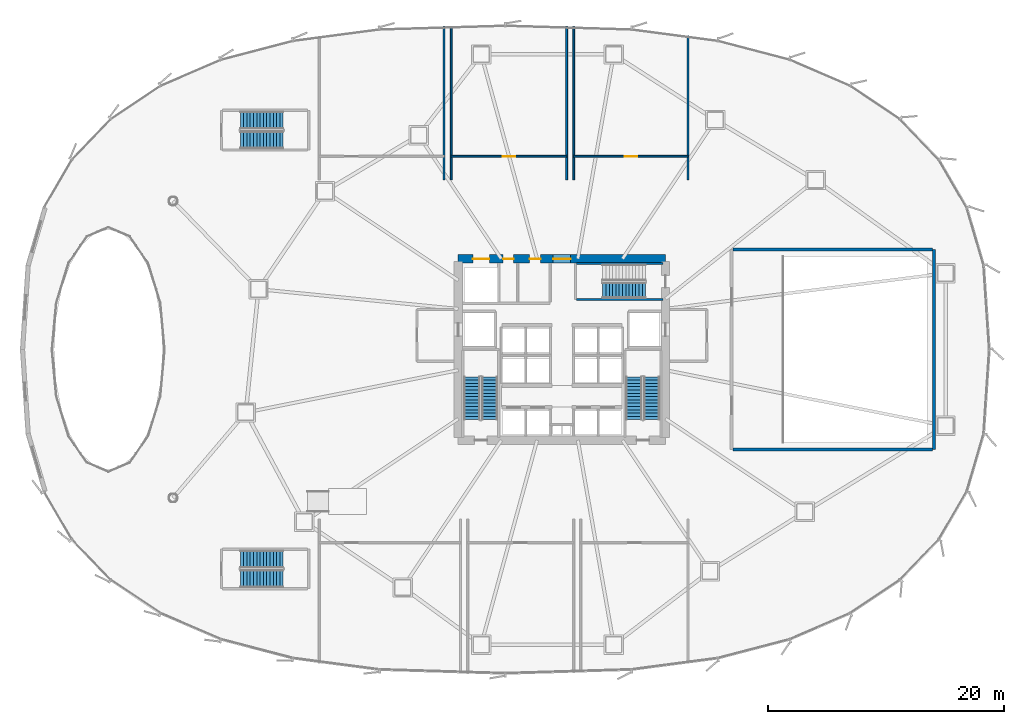
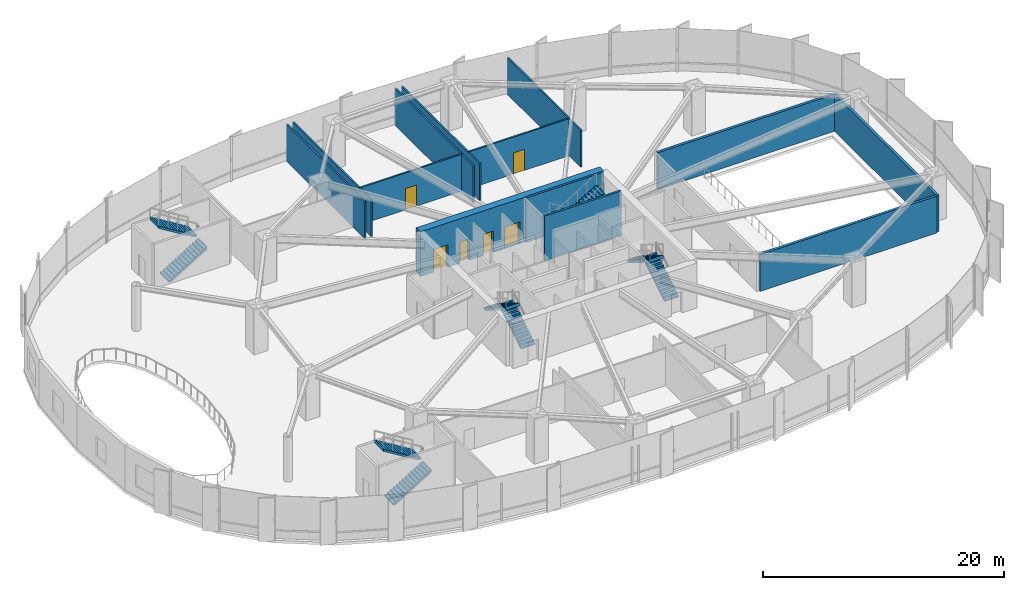
# One storey, part 26 of 34: 13 walls, 9 stair flights, 6 doors, 6 openings, 5 elements without a shape of their own.
"""IFC4 building model written with IfcOpenShell, lengths in metres."""

from ifc_helpers import new_model, si_unit, direction, frame, frame_2d, origin, place, context, subcontext, project, spatial, polyline, rectangle, outline, extrude, source, transform, mapped, material, layer, layer_set, type_object, element, fill, aggregate, save


model = new_model("IFC4")

# Units and contexts
model_context = context("Model", 3, precision=1e-05, world=origin(), true_north=direction((0.0, 1.0)))
body_context = subcontext(model_context, "Body", "Model", "MODEL_VIEW")
ifc_project = project(units=[si_unit("LENGTHUNIT", "METRE"), si_unit("AREAUNIT", "SQUARE_METRE"), si_unit("VOLUMEUNIT", "CUBIC_METRE"), si_unit("PLANEANGLEUNIT", "RADIAN"), si_unit("MASSUNIT", "GRAM", prefix="KILO"), si_unit("THERMODYNAMICTEMPERATUREUNIT", "KELVIN")], contexts=[model_context])

# Site, building, storey
site_placement = place(None, origin())
site = spatial("IfcSite", under=ifc_project, at=site_placement, CompositionType="ELEMENT")
building_placement = place(site_placement, origin())
building = spatial("IfcBuilding", under=site, at=building_placement, Name="Kethvar Cultural Tower", CompositionType="ELEMENT")
storey_placement = place(building_placement, frame((0.0, 0.0, 14.800048828125)))
storey = spatial("IfcBuildingStorey", under=building, at=storey_placement, Name="L03", CompositionType="ELEMENT", Elevation=14.800048828125)

# Wall, openings, doors
ifc_material_1 = material(Name="Concrete C60/75", Category="concrete")
ifc_layer_1 = layer(ifc_material_1, 0.699951171875, Name="Concrete C60/75", Category="concrete")
ifc_layer_set_1 = layer_set([ifc_layer_1], Name="Concrete C60/75 (700 mm)")
wall_type_1 = type_object("IfcWallType", Name="WL-CORE-700", PredefinedType="SHEAR", material=ifc_layer_set_1)
wall_1_placement = place(storey_placement, frame((55.60009765625, 35.5, 0.0), z_axis=(0.0, 0.0, 1.0), x_axis=(-1.0, 0.0, 0.0)))
wall_1 = element("IfcWall", 1, at=wall_1_placement, inside=storey, type_object=wall_type_1, Name="L03 Core Shear Wall N", PredefinedType="SHEAR", context=body_context, shape_type="SweptSolid", body=[
    extrude(rectangle(XDim=17.60009765625, YDim=0.699951171875, at=frame_2d((8.800048828125, 0.0))), origin(), (0.0, 0.0, 1.0), 4.530029296875),
])
opening_1_placement = place(wall_1_placement, frame((8.050048828125, 0.0, 0.0)))
opening_1 = element("IfcOpeningElement", 2, at=opening_1_placement, cuts=wall_1, Name="Opening D-L03-LN", PredefinedType="OPENING", context=body_context, shape_type="SweptSolid", body=[
    extrude(rectangle(XDim=1.5, YDim=2.199951171875, at=frame_2d((0.75, 1.10009765625))), frame((0.0, 0.35986328125, 0.0), z_axis=(0.0, -1.0, 0.0), x_axis=(1.0, 0.0, 0.0)), (0.0, 0.0, 1.0), 0.719970703125),
])
opening_2_placement = place(wall_1_placement, frame((14.949951171875, 0.0, 0.0)))
opening_2 = element("IfcOpeningElement", 3, at=opening_2_placement, cuts=wall_1, Name="Opening LD-G1", PredefinedType="OPENING", context=body_context, shape_type="SweptSolid", body=[
    extrude(rectangle(XDim=1.39990234375, YDim=2.300048828125, at=frame_2d((0.699951171875, 1.14990234375))), frame((0.0, 0.35986328125, 0.0), z_axis=(0.0, -1.0, 0.0), x_axis=(1.0, 0.0, 0.0)), (0.0, 0.0, 1.0), 0.719970703125),
])
opening_3_placement = place(wall_1_placement, frame((12.89990234375, 0.0, 0.0)))
opening_3 = element("IfcOpeningElement", 4, at=opening_3_placement, cuts=wall_1, Name="Opening D-L03-W1", PredefinedType="OPENING", context=body_context, shape_type="SweptSolid", body=[
    extrude(rectangle(XDim=0.89990234375, YDim=2.14990234375, at=frame_2d((0.449951171875, 1.074951171875))), frame((0.0, 0.35986328125, 0.0), z_axis=(0.0, -1.0, 0.0), x_axis=(1.0, 0.0, 0.0)), (0.0, 0.0, 1.0), 0.719970703125),
])
opening_4_placement = place(wall_1_placement, frame((10.60009765625, 0.0, 0.0)))
opening_4 = element("IfcOpeningElement", 5, at=opening_4_placement, cuts=wall_1, Name="Opening D-L03-W2", PredefinedType="OPENING", context=body_context, shape_type="SweptSolid", body=[
    extrude(rectangle(XDim=0.949951171875, YDim=2.14990234375, at=frame_2d((0.47509765625, 1.074951171875))), frame((0.0, 0.35986328125, 0.0), z_axis=(0.0, -1.0, 0.0), x_axis=(1.0, 0.0, 0.0)), (0.0, 0.0, 1.0), 0.719970703125),
])
ifc_material_2 = material(Name="Architectural Oak Timber", Category="wood")
door_type_1 = type_object("IfcDoorType", Name="DR-DBL-FD60-1500", OperationType="DOUBLE_DOOR_SINGLE_SWING", PredefinedType="DOOR", material=ifc_material_2)
shared_shape_1 = source(origin(), body_context, "Body", "SweptSolid", [
    extrude(rectangle(XDim=1.5, YDim=2.199951171875, at=frame_2d((0.75, 1.10009765625))), frame((0.0, 0.02490234375, 0.0), z_axis=(0.0, -1.0, 0.0), x_axis=(1.0, 0.0, 0.0)), (0.0, 0.0, 1.0), 0.050048828125),
])
door_1_placement = place(opening_1_placement, origin())
door_1 = element("IfcDoor", 6, at=door_1_placement, inside=storey, type_object=door_type_1, Name="L03 Lift Lobby Concourse Door", OperationType="DOUBLE_DOOR_SINGLE_SWING", OverallHeight=2.199951171875, OverallWidth=1.5, PredefinedType="DOOR", context=body_context, shape_type="MappedRepresentation", body=[
    mapped(shared_shape_1, transform((0.0, 0.0, 0.0), scale=1.0)),
])
fill(opening_1, door_1)
ifc_material_3 = material(Name="Steel S355J2", Category="steel")
door_type_2 = type_object("IfcDoorType", Name="DR-LIFT-SLIDE-1400", OperationType="NOTDEFINED", PredefinedType="DOOR", material=ifc_material_3)
shared_shape_2 = source(origin(), body_context, "Body", "SweptSolid", [
    extrude(rectangle(XDim=1.39990234375, YDim=2.300048828125, at=frame_2d((0.699951171875, 1.14990234375))), frame((0.0, 0.02490234375, 0.0), z_axis=(0.0, -1.0, 0.0), x_axis=(1.0, 0.0, 0.0)), (0.0, 0.0, 1.0), 0.050048828125),
])
door_2_placement = place(opening_2_placement, origin())
door_2 = element("IfcDoor", 7, at=door_2_placement, inside=storey, type_object=door_type_2, Name="L03 Goods Lift Landing Door", OperationType="SLIDING_TO_RIGHT", OverallHeight=2.300048828125, OverallWidth=1.39990234375, PredefinedType="DOOR", context=body_context, shape_type="MappedRepresentation", body=[
    mapped(shared_shape_2, transform((0.0, 0.0, 0.0), scale=1.0)),
])
fill(opening_2, door_2)
door_type_3 = type_object("IfcDoorType", Name="DR-FD30-950", OperationType="NOTDEFINED", PredefinedType="DOOR", material=ifc_material_2)
shared_shape_3 = source(origin(), body_context, "Body", "SweptSolid", [
    extrude(rectangle(XDim=0.949951171875, YDim=2.14990234375, at=frame_2d((0.47509765625, 1.074951171875))), frame((0.0, 0.02490234375, 0.0), z_axis=(0.0, -1.0, 0.0), x_axis=(1.0, 0.0, 0.0)), (0.0, 0.0, 1.0), 0.050048828125),
])
door_3_placement = place(opening_4_placement, origin())
door_3 = element("IfcDoor", 8, at=door_3_placement, inside=storey, type_object=door_type_3, Name="L03 Public Washroom Door", OperationType="SINGLE_SWING_RIGHT", OverallHeight=2.14990234375, OverallWidth=0.949951171875, PredefinedType="DOOR", context=body_context, shape_type="MappedRepresentation", body=[
    mapped(shared_shape_3, transform((0.0, 0.0, 0.0), scale=1.0)),
])
fill(opening_4, door_3)
door_type_4 = type_object("IfcDoorType", Name="DR-FD30-900", OperationType="NOTDEFINED", PredefinedType="DOOR", material=ifc_material_2)
shared_shape_4 = source(origin(), body_context, "Body", "SweptSolid", [
    extrude(rectangle(XDim=0.89990234375, YDim=2.14990234375, at=frame_2d((0.449951171875, 1.074951171875))), frame((0.0, 0.02490234375, 0.0), z_axis=(0.0, -1.0, 0.0), x_axis=(1.0, 0.0, 0.0)), (0.0, 0.0, 1.0), 0.050048828125),
])
door_4_placement = place(opening_3_placement, origin())
door_4 = element("IfcDoor", 9, at=door_4_placement, inside=storey, type_object=door_type_4, Name="L03 Accessible Washroom Door", OperationType="SINGLE_SWING_LEFT", OverallHeight=2.14990234375, OverallWidth=0.89990234375, PredefinedType="DOOR", context=body_context, shape_type="MappedRepresentation", body=[
    mapped(shared_shape_4, transform((0.0, 0.0, 0.0), scale=1.0)),
])
fill(opening_3, door_4)

# Wall, opening, door
ifc_material_4 = material(Name="Gypsum Fireboard Partition")
ifc_layer_2 = layer(ifc_material_4, 0.14990234375, Name="Gypsum Fireboard Partition")
ifc_layer_set_2 = layer_set([ifc_layer_2], Name="Gypsum Fireboard Partition (150 mm)")
wall_type_2 = type_object("IfcWallType", Name="WL-FIRE-150", PredefinedType="PARTITIONING", material=ifc_layer_set_2)
wall_2_placement = place(storey_placement, frame((37.39990234375, 44.199951171875, 0.0), z_axis=(0.0, 0.0, 1.0), x_axis=(1.0, 0.0, 0.0)))
wall_2 = element("IfcWall", 10, at=wall_2_placement, inside=storey, type_object=wall_type_2, Name="L03 Audio Visual Control Studio Wall", PredefinedType="PARTITIONING", context=body_context, shape_type="SweptSolid", body=[
    extrude(rectangle(XDim=9.800048828125, YDim=0.14990234375, at=frame_2d((4.89990234375, 0.0))), origin(), (0.0, 0.0, 1.0), 3.742919921875),
])
opening_5_placement = place(wall_2_placement, frame((4.375, 0.0, 0.0)))
opening_5 = element("IfcOpeningElement", 11, at=opening_5_placement, cuts=wall_2, Name="Opening D-L03-P5", PredefinedType="OPENING", context=body_context, shape_type="SweptSolid", body=[
    extrude(rectangle(XDim=1.050048828125, YDim=2.14990234375, at=frame_2d((0.52490234375, 1.074951171875))), frame((0.0, 0.0849609375, 0.0), z_axis=(0.0, -1.0, 0.0), x_axis=(1.0, 0.0, 0.0)), (0.0, 0.0, 1.0), 0.169921875),
])
door_type_5 = type_object("IfcDoorType", Name="DR-FD60-1050", OperationType="NOTDEFINED", PredefinedType="DOOR", material=ifc_material_3)
shared_shape_5 = source(origin(), body_context, "Body", "SweptSolid", [
    extrude(rectangle(XDim=1.050048828125, YDim=2.14990234375, at=frame_2d((0.52490234375, 1.074951171875))), frame((0.0, 0.02490234375, 0.0), z_axis=(0.0, -1.0, 0.0), x_axis=(1.0, 0.0, 0.0)), (0.0, 0.0, 1.0), 0.050048828125),
])
door_5_placement = place(opening_5_placement, origin())
door_5 = element("IfcDoor", 12, at=door_5_placement, inside=storey, type_object=door_type_5, Name="L03 Audio Visual Control Studio Door", OperationType="SINGLE_SWING_LEFT", OverallHeight=2.14990234375, OverallWidth=1.050048828125, PredefinedType="DOOR", context=body_context, shape_type="MappedRepresentation", body=[
    mapped(shared_shape_5, transform((0.0, 0.0, 0.0), scale=1.0)),
])
fill(opening_5, door_5)

wall_3_placement = place(storey_placement, frame((47.800048828125, 44.199951171875, 0.0), z_axis=(0.0, 0.0, 1.0), x_axis=(1.0, 0.0, 0.0)))
wall_3 = element("IfcWall", 13, at=wall_3_placement, inside=storey, type_object=wall_type_2, Name="L03 Instrument Archive Vault Wall", PredefinedType="PARTITIONING", context=body_context, shape_type="SweptSolid", body=[
    extrude(rectangle(XDim=9.699951171875, YDim=0.14990234375, at=frame_2d((4.85009765625, 0.0))), origin(), (0.0, 0.0, 1.0), 3.742919921875),
])
opening_6_placement = place(wall_3_placement, frame((4.324951171875, 0.0, 0.0)))
opening_6 = element("IfcOpeningElement", 14, at=opening_6_placement, cuts=wall_3, Name="Opening D-L03-P6", PredefinedType="OPENING", context=body_context, shape_type="SweptSolid", body=[
    extrude(rectangle(XDim=1.050048828125, YDim=2.14990234375, at=frame_2d((0.52490234375, 1.074951171875))), frame((0.0, 0.0849609375, 0.0), z_axis=(0.0, -1.0, 0.0), x_axis=(1.0, 0.0, 0.0)), (0.0, 0.0, 1.0), 0.169921875),
])
door_6_placement = place(opening_6_placement, origin())
door_6 = element("IfcDoor", 15, at=door_6_placement, inside=storey, type_object=door_type_5, Name="L03 Instrument Archive Vault Door", OperationType="SINGLE_SWING_LEFT", OverallHeight=2.14990234375, OverallWidth=1.050048828125, PredefinedType="DOOR", context=body_context, shape_type="MappedRepresentation", body=[
    mapped(shared_shape_5, transform((0.0, 0.0, 0.0), scale=1.0)),
])
fill(opening_6, door_6)

# Walls
ifc_material_5 = material(Name="Gypsum Acoustic Partition")
ifc_layer_3 = layer(ifc_material_5, 0.14990234375, Name="Gypsum Acoustic Partition")
ifc_layer_set_3 = layer_set([ifc_layer_3], Name="Gypsum Acoustic Partition (150 mm)")
wall_type_3 = type_object("IfcWallType", Name="WL-PART-150", PredefinedType="PARTITIONING", material=ifc_layer_set_3)
wall_4_placement = place(storey_placement, frame((36.800048828125, 42.199951171875, 0.0), z_axis=(0.0, 0.0, 1.0), x_axis=(0.0, 1.0, 0.0)))
element("IfcWall", 16, at=wall_4_placement, inside=storey, type_object=wall_type_3, Name="L03 Upper Atrium Tea Pantry Side Wall R", PredefinedType="PARTITIONING", context=body_context, shape_type="SweptSolid", body=[
    extrude(rectangle(XDim=13.043212890625, YDim=0.14990234375, at=frame_2d((6.521484375, 0.0))), origin(), (0.0, 0.0, 1.0), 3.742919921875),
])
wall_5_placement = place(storey_placement, frame((37.39990234375, 42.199951171875, 0.0), z_axis=(0.0, 0.0, 1.0), x_axis=(0.0, 1.0, 0.0)))
element("IfcWall", 17, at=wall_5_placement, inside=storey, type_object=wall_type_3, Name="L03 Audio Visual Control Studio Side Wall L", PredefinedType="PARTITIONING", context=body_context, shape_type="SweptSolid", body=[
    extrude(rectangle(XDim=13.061279296875, YDim=0.14990234375, at=frame_2d((6.53076171875, 0.0))), origin(), (0.0, 0.0, 1.0), 3.742919921875),
])
wall_6_placement = place(storey_placement, frame((47.199951171875, 42.199951171875, 0.0), z_axis=(0.0, 0.0, 1.0), x_axis=(0.0, 1.0, 0.0)))
element("IfcWall", 18, at=wall_6_placement, inside=storey, type_object=wall_type_3, Name="L03 Audio Visual Control Studio Side Wall R", PredefinedType="PARTITIONING", context=body_context, shape_type="SweptSolid", body=[
    extrude(rectangle(XDim=13.043212890625, YDim=0.14990234375, at=frame_2d((6.521484375, 0.0))), origin(), (0.0, 0.0, 1.0), 3.742919921875),
])
wall_7_placement = place(storey_placement, frame((47.800048828125, 42.199951171875, 0.0), z_axis=(0.0, 0.0, 1.0), x_axis=(0.0, 1.0, 0.0)))
element("IfcWall", 19, at=wall_7_placement, inside=storey, type_object=wall_type_3, Name="L03 Instrument Archive Vault Side Wall L", PredefinedType="PARTITIONING", context=body_context, shape_type="SweptSolid", body=[
    extrude(rectangle(XDim=13.025146484375, YDim=0.14990234375, at=frame_2d((6.5126953125, 0.0))), origin(), (0.0, 0.0, 1.0), 3.742919921875),
])
wall_8_placement = place(storey_placement, frame((57.5, 42.199951171875, 0.0), z_axis=(0.0, 0.0, 1.0), x_axis=(0.0, 1.0, 0.0)))
element("IfcWall", 20, at=wall_8_placement, inside=storey, type_object=wall_type_3, Name="L03 Instrument Archive Vault Side Wall R", PredefinedType="PARTITIONING", context=body_context, shape_type="SweptSolid", body=[
    extrude(rectangle(XDim=12.24658203125, YDim=0.14990234375, at=frame_2d((6.123291015625, 0.0))), origin(), (0.0, 0.0, 1.0), 3.742919921875),
])
ifc_material_6 = material(Name="Concrete C40/50", Category="concrete")
ifc_layer_4 = layer(ifc_material_6, 0.25, Name="Concrete C40/50", Category="concrete")
ifc_layer_set_4 = layer_set([ifc_layer_4], Name="Concrete C40/50 (250 mm)")
wall_type_4 = type_object("IfcWallType", Name="WL-SOLID-250", PredefinedType="SOLIDWALL", material=ifc_layer_set_4)
wall_9_placement = place(storey_placement, frame((78.39990234375, 19.300048828125, 0.0), z_axis=(0.0, 0.0, 1.0), x_axis=(0.0, 1.0, 0.0)))
element("IfcWall", 21, at=wall_9_placement, inside=storey, type_object=wall_type_4, Name="L03 Auditorium East Wall", PredefinedType="SOLIDWALL", context=body_context, shape_type="SweptSolid", body=[
    extrude(rectangle(XDim=17.0, YDim=0.25, at=frame_2d((8.5, 0.0))), origin(), (0.0, 0.0, 1.0), 3.742919921875),
])
for number, where, z_axis, x_axis, name in (
    (22, (61.340087890625, 19.300048828125, 0.0), (0.0, 0.0, 1.0), (1.0, 0.0, 0.0), "L03 Auditorium South Wall"),
    (23, (61.340087890625, 36.300048828125, 0.0), (0.0, 0.0, 1.0), (1.0, 0.0, 0.0), "L03 Auditorium North Wall"),
):
    element("IfcWall", number, at=place(storey_placement, frame(where, z_axis=z_axis, x_axis=x_axis)), inside=storey, type_object=wall_type_4, Name=name, PredefinedType="SOLIDWALL", context=body_context, shape_type="SweptSolid", body=[
        extrude(rectangle(XDim=16.919921875, YDim=0.25, at=frame_2d((8.4599609375, 0.0))), origin(), (0.0, 0.0, 1.0), 3.742919921875),
    ])
ifc_material_7 = material(Name="Concrete C50/60", Category="concrete")
ifc_layer_5 = layer(ifc_material_7, 0.199951171875, Name="Concrete C50/60", Category="concrete")
ifc_layer_set_5 = layer_set([ifc_layer_5], Name="Concrete C50/60 (200 mm)")
wall_type_5 = type_object("IfcWallType", Name="WL-STSHAFT-200", PredefinedType="SHEAR", material=ifc_layer_set_5)
for number, where, z_axis, x_axis, name in (
    (24, (48.050048828125, 35.110107421875, 0.0), (0.0, 0.0, 1.0), (1.0, 0.0, 0.0), "L03 ST-03 Stair Shaft Wall LEFT"),
    (25, (55.39990234375, 32.050048828125, 0.0), (0.0, 0.0, 1.0), (-1.0, 0.0, 0.0), "L03 ST-03 Stair Shaft Wall RIGHT"),
):
    element("IfcWall", number, at=place(storey_placement, frame(where, z_axis=z_axis, x_axis=x_axis)), inside=storey, type_object=wall_type_5, Name=name, PredefinedType="SHEAR", context=body_context, shape_type="SweptSolid", body=[
        extrude(rectangle(XDim=7.349853515625, YDim=0.199951171875, at=frame_2d((3.6748046875, 0.0))), origin(), (0.0, 0.0, 1.0), 4.530029296875),
    ])

# Stair, stair flights
stair_type_1 = type_object("IfcStairType", Name="ST-DOGLEG-135", PredefinedType="HALF_TURN_STAIR", material=ifc_material_6)
stair_1_placement = place(storey_placement, origin())
stair_1 = element("IfcStair", 26, at=stair_1_placement, inside=storey, type_object=stair_type_1, Name="L03 Core Exit Stair 1", PredefinedType="HALF_TURN_STAIR")
stair_flight_type_1 = type_object("IfcStairFlightType", Name="FL-STRAIGHT-135", PredefinedType="STRAIGHT", material=ifc_material_6)
stair_flight_1_placement = place(storey_placement, frame((40.675048828125, 21.85009765625, 0.0), z_axis=(0.0, 0.0, 1.0), x_axis=(0.0, 1.0, 0.0)))
stair_flight_1 = element("IfcStairFlight", 27, at=stair_flight_1_placement, type_object=stair_flight_type_1, Name="ST-01 flight 1", NumberOfRisers=14, NumberOfTreads=13, PredefinedType="STRAIGHT", RiserHeight=0.171428571, TreadLength=0.28, context=body_context, shape_type="SweptSolid", body=[
    extrude(outline(polyline([(-0.0009765625, -0.0009765625), (-0.0009765625, 0.17138671875), (0.280029296875, 0.17138671875), (0.280029296875, 0.3427734375), (0.56005859375, 0.3427734375), (0.56005859375, 0.514404296875), (0.840087890625, 0.514404296875), (0.840087890625, 0.685791015625), (1.1201171875, 0.685791015625), (1.1201171875, 0.857177734375), (1.39990234375, 0.857177734375), (1.39990234375, 1.028564453125), (1.679931640625, 1.028564453125), (1.679931640625, 1.199951171875), (1.9599609375, 1.199951171875), (1.9599609375, 1.371337890625), (2.239990234375, 1.371337890625), (2.239990234375, 1.54296875), (2.52001953125, 1.54296875), (2.52001953125, 1.71435546875), (2.800048828125, 1.71435546875), (2.800048828125, 1.8857421875), (3.080078125, 1.8857421875), (3.080078125, 2.05712890625), (3.360107421875, 2.05712890625), (3.360107421875, 2.228515625), (3.639892578125, 2.228515625), (3.639892578125, 2.39990234375), (3.640869140625, 2.39990234375), (3.640869140625, 2.052734375), (0.287109375, 0.0), (0.0, -0.0009765625), (-0.0009765625, -0.0009765625)])), frame((0.0, 0.675048828125, 0.0), z_axis=(0.0, -1.0, 0.0), x_axis=(1.0, 0.0, 0.0)), (0.0, 0.0, 1.0), 1.35009765625),
])
stair_flight_2_placement = place(storey_placement, frame((39.1650390625, 25.489990234375, 2.39990234375), z_axis=(0.0, 0.0, 1.0), x_axis=(0.0, -1.0, 0.0)))
stair_flight_2 = element("IfcStairFlight", 28, at=stair_flight_2_placement, type_object=stair_flight_type_1, Name="ST-01 flight 2", NumberOfRisers=14, NumberOfTreads=13, PredefinedType="STRAIGHT", RiserHeight=0.171428571, TreadLength=0.28, context=body_context, shape_type="SweptSolid", body=[
    extrude(outline(polyline([(-0.0009765625, -0.0009765625), (-0.0009765625, 0.17138671875), (0.280029296875, 0.17138671875), (0.280029296875, 0.3427734375), (0.56005859375, 0.3427734375), (0.56005859375, 0.514404296875), (0.840087890625, 0.514404296875), (0.840087890625, 0.685791015625), (1.1201171875, 0.685791015625), (1.1201171875, 0.857177734375), (1.39990234375, 0.857177734375), (1.39990234375, 1.028564453125), (1.679931640625, 1.028564453125), (1.679931640625, 1.199951171875), (1.9599609375, 1.199951171875), (1.9599609375, 1.371337890625), (2.239990234375, 1.371337890625), (2.239990234375, 1.54296875), (2.52001953125, 1.54296875), (2.52001953125, 1.71435546875), (2.800048828125, 1.71435546875), (2.800048828125, 1.8857421875), (3.080078125, 1.8857421875), (3.080078125, 2.05712890625), (3.360107421875, 2.05712890625), (3.360107421875, 2.228515625), (3.639892578125, 2.228515625), (3.639892578125, 2.39990234375), (3.640869140625, 2.39990234375), (3.640869140625, 2.052734375), (0.287109375, 0.0), (0.0, -0.0009765625), (-0.0009765625, -0.0009765625)])), frame((0.0, 0.675048828125, 0.0), z_axis=(0.0, -1.0, 0.0), x_axis=(1.0, 0.0, 0.0)), (0.0, 0.0, 1.0), 1.35009765625),
])
aggregate(stair_1, [stair_flight_1, stair_flight_2])

stair_2_placement = place(storey_placement, origin())
stair_2 = element("IfcStair", 29, at=stair_2_placement, inside=storey, type_object=stair_type_1, Name="L03 Core Exit Stair 2", PredefinedType="HALF_TURN_STAIR")
stair_flight_3_placement = place(storey_placement, frame((54.43505859375, 21.85009765625, 0.0), z_axis=(0.0, 0.0, 1.0), x_axis=(0.0, 1.0, 0.0)))
stair_flight_3 = element("IfcStairFlight", 30, at=stair_flight_3_placement, type_object=stair_flight_type_1, Name="ST-02 flight 1", NumberOfRisers=14, NumberOfTreads=13, PredefinedType="STRAIGHT", RiserHeight=0.171428571, TreadLength=0.28, context=body_context, shape_type="SweptSolid", body=[
    extrude(outline(polyline([(-0.0009765625, -0.0009765625), (-0.0009765625, 0.17138671875), (0.280029296875, 0.17138671875), (0.280029296875, 0.3427734375), (0.56005859375, 0.3427734375), (0.56005859375, 0.514404296875), (0.840087890625, 0.514404296875), (0.840087890625, 0.685791015625), (1.1201171875, 0.685791015625), (1.1201171875, 0.857177734375), (1.39990234375, 0.857177734375), (1.39990234375, 1.028564453125), (1.679931640625, 1.028564453125), (1.679931640625, 1.199951171875), (1.9599609375, 1.199951171875), (1.9599609375, 1.371337890625), (2.239990234375, 1.371337890625), (2.239990234375, 1.54296875), (2.52001953125, 1.54296875), (2.52001953125, 1.71435546875), (2.800048828125, 1.71435546875), (2.800048828125, 1.8857421875), (3.080078125, 1.8857421875), (3.080078125, 2.05712890625), (3.360107421875, 2.05712890625), (3.360107421875, 2.228515625), (3.639892578125, 2.228515625), (3.639892578125, 2.39990234375), (3.640869140625, 2.39990234375), (3.640869140625, 2.052734375), (0.287109375, 0.0), (0.0, -0.0009765625), (-0.0009765625, -0.0009765625)])), frame((0.0, 0.675048828125, 0.0), z_axis=(0.0, -1.0, 0.0), x_axis=(1.0, 0.0, 0.0)), (0.0, 0.0, 1.0), 1.35009765625),
])
stair_flight_4_placement = place(storey_placement, frame((52.925048828125, 25.489990234375, 2.39990234375), z_axis=(0.0, 0.0, 1.0), x_axis=(0.0, -1.0, 0.0)))
stair_flight_4 = element("IfcStairFlight", 31, at=stair_flight_4_placement, type_object=stair_flight_type_1, Name="ST-02 flight 2", NumberOfRisers=14, NumberOfTreads=13, PredefinedType="STRAIGHT", RiserHeight=0.171428571, TreadLength=0.28, context=body_context, shape_type="SweptSolid", body=[
    extrude(outline(polyline([(-0.0009765625, -0.0009765625), (-0.0009765625, 0.17138671875), (0.280029296875, 0.17138671875), (0.280029296875, 0.3427734375), (0.56005859375, 0.3427734375), (0.56005859375, 0.514404296875), (0.840087890625, 0.514404296875), (0.840087890625, 0.685791015625), (1.1201171875, 0.685791015625), (1.1201171875, 0.857177734375), (1.39990234375, 0.857177734375), (1.39990234375, 1.028564453125), (1.679931640625, 1.028564453125), (1.679931640625, 1.199951171875), (1.9599609375, 1.199951171875), (1.9599609375, 1.371337890625), (2.239990234375, 1.371337890625), (2.239990234375, 1.54296875), (2.52001953125, 1.54296875), (2.52001953125, 1.71435546875), (2.800048828125, 1.71435546875), (2.800048828125, 1.8857421875), (3.080078125, 1.8857421875), (3.080078125, 2.05712890625), (3.360107421875, 2.05712890625), (3.360107421875, 2.228515625), (3.639892578125, 2.228515625), (3.639892578125, 2.39990234375), (3.640869140625, 2.39990234375), (3.640869140625, 2.052734375), (0.287109375, 0.0), (0.0, -0.0009765625), (-0.0009765625, -0.0009765625)])), frame((0.0, 0.675048828125, 0.0), z_axis=(0.0, -1.0, 0.0), x_axis=(1.0, 0.0, 0.0)), (0.0, 0.0, 1.0), 1.35009765625),
])
aggregate(stair_2, [stair_flight_3, stair_flight_4])

# Stair, stair flight
stair_3_placement = place(storey_placement, origin())
stair_3 = element("IfcStair", 32, at=stair_3_placement, inside=storey, type_object=stair_type_1, Name="L03 Core Exit Stair 3", PredefinedType="HALF_TURN_STAIR")
stair_flight_5_placement = place(storey_placement, frame((50.260009765625, 32.824951171875, 2.39990234375), z_axis=(0.0, 0.0, 1.0), x_axis=(1.0, 0.0, 0.0)))
stair_flight_5 = element("IfcStairFlight", 33, at=stair_flight_5_placement, type_object=stair_flight_type_1, Name="ST-03 flight 2", NumberOfRisers=14, NumberOfTreads=13, PredefinedType="STRAIGHT", RiserHeight=0.171428571, TreadLength=0.28, context=body_context, shape_type="SweptSolid", body=[
    extrude(outline(polyline([(-0.0009765625, -0.0009765625), (-0.0009765625, 0.17138671875), (0.280029296875, 0.17138671875), (0.280029296875, 0.3427734375), (0.56005859375, 0.3427734375), (0.56005859375, 0.514404296875), (0.840087890625, 0.514404296875), (0.840087890625, 0.685791015625), (1.1201171875, 0.685791015625), (1.1201171875, 0.857177734375), (1.39990234375, 0.857177734375), (1.39990234375, 1.028564453125), (1.679931640625, 1.028564453125), (1.679931640625, 1.199951171875), (1.9599609375, 1.199951171875), (1.9599609375, 1.371337890625), (2.239990234375, 1.371337890625), (2.239990234375, 1.54296875), (2.52001953125, 1.54296875), (2.52001953125, 1.71435546875), (2.800048828125, 1.71435546875), (2.800048828125, 1.8857421875), (3.080078125, 1.8857421875), (3.080078125, 2.05712890625), (3.360107421875, 2.05712890625), (3.360107421875, 2.228515625), (3.639892578125, 2.228515625), (3.639892578125, 2.39990234375), (3.640869140625, 2.39990234375), (3.640869140625, 2.052734375), (0.287109375, 0.0), (0.0, -0.0009765625), (-0.0009765625, -0.0009765625)])), frame((0.0, 0.675048828125, 0.0), z_axis=(0.0, -1.0, 0.0), x_axis=(1.0, 0.0, 0.0)), (0.0, 0.0, 1.0), 1.35009765625),
])
aggregate(stair_3, [stair_flight_5])

# Stair, stair flights
stair_type_2 = type_object("IfcStairType", Name="ST-DOGLEG-150", PredefinedType="HALF_TURN_STAIR", material=ifc_material_6)
stair_4_placement = place(storey_placement, origin())
stair_4 = element("IfcStair", 34, at=stair_4_placement, inside=storey, type_object=stair_type_2, Name="L03 Podium Auditorium Exit Stair 4", PredefinedType="HALF_TURN_STAIR")
stair_flight_type_2 = type_object("IfcStairFlightType", Name="FL-STRAIGHT-150", PredefinedType="STRAIGHT", material=ifc_material_6)
stair_flight_6_placement = place(storey_placement, frame((19.5, 8.35009765625, 0.0), z_axis=(0.0, 0.0, 1.0), x_axis=(1.0, 0.0, 0.0)))
stair_flight_6 = element("IfcStairFlight", 35, at=stair_flight_6_placement, type_object=stair_flight_type_2, Name="ST-04 flight 1", NumberOfRisers=14, NumberOfTreads=13, PredefinedType="STRAIGHT", RiserHeight=0.171428571, TreadLength=0.28, context=body_context, shape_type="SweptSolid", body=[
    extrude(outline(polyline([(-0.0009765625, -0.0009765625), (-0.0009765625, 0.17138671875), (0.280029296875, 0.17138671875), (0.280029296875, 0.3427734375), (0.56005859375, 0.3427734375), (0.56005859375, 0.514404296875), (0.840087890625, 0.514404296875), (0.840087890625, 0.685791015625), (1.1201171875, 0.685791015625), (1.1201171875, 0.857177734375), (1.39990234375, 0.857177734375), (1.39990234375, 1.028564453125), (1.679931640625, 1.028564453125), (1.679931640625, 1.199951171875), (1.9599609375, 1.199951171875), (1.9599609375, 1.371337890625), (2.239990234375, 1.371337890625), (2.239990234375, 1.54296875), (2.52001953125, 1.54296875), (2.52001953125, 1.71435546875), (2.800048828125, 1.71435546875), (2.800048828125, 1.8857421875), (3.080078125, 1.8857421875), (3.080078125, 2.05712890625), (3.360107421875, 2.05712890625), (3.360107421875, 2.228515625), (3.639892578125, 2.228515625), (3.639892578125, 2.39990234375), (3.640869140625, 2.39990234375), (3.640869140625, 2.052734375), (0.287109375, 0.0), (0.0, -0.0009765625), (-0.0009765625, -0.0009765625)])), frame((0.0, 0.75, 0.0), z_axis=(0.0, -1.0, 0.0), x_axis=(1.0, 0.0, 0.0)), (0.0, 0.0, 1.0), 1.5),
])
stair_flight_7_placement = place(storey_placement, frame((23.139892578125, 10.010009765625, 2.39990234375), z_axis=(0.0, 0.0, 1.0), x_axis=(-1.0, 0.0, 0.0)))
stair_flight_7 = element("IfcStairFlight", 36, at=stair_flight_7_placement, type_object=stair_flight_type_2, Name="ST-04 flight 2", NumberOfRisers=14, NumberOfTreads=13, PredefinedType="STRAIGHT", RiserHeight=0.171428571, TreadLength=0.28, context=body_context, shape_type="SweptSolid", body=[
    extrude(outline(polyline([(-0.0009765625, -0.0009765625), (-0.0009765625, 0.17138671875), (0.280029296875, 0.17138671875), (0.280029296875, 0.3427734375), (0.56005859375, 0.3427734375), (0.56005859375, 0.514404296875), (0.840087890625, 0.514404296875), (0.840087890625, 0.685791015625), (1.1201171875, 0.685791015625), (1.1201171875, 0.857177734375), (1.39990234375, 0.857177734375), (1.39990234375, 1.028564453125), (1.679931640625, 1.028564453125), (1.679931640625, 1.199951171875), (1.9599609375, 1.199951171875), (1.9599609375, 1.371337890625), (2.239990234375, 1.371337890625), (2.239990234375, 1.54296875), (2.52001953125, 1.54296875), (2.52001953125, 1.71435546875), (2.800048828125, 1.71435546875), (2.800048828125, 1.8857421875), (3.080078125, 1.8857421875), (3.080078125, 2.05712890625), (3.360107421875, 2.05712890625), (3.360107421875, 2.228515625), (3.639892578125, 2.228515625), (3.639892578125, 2.39990234375), (3.640869140625, 2.39990234375), (3.640869140625, 2.052734375), (0.287109375, 0.0), (0.0, -0.0009765625), (-0.0009765625, -0.0009765625)])), frame((0.0, 0.75, 0.0), z_axis=(0.0, -1.0, 0.0), x_axis=(1.0, 0.0, 0.0)), (0.0, 0.0, 1.0), 1.5),
])
aggregate(stair_4, [stair_flight_6, stair_flight_7])

stair_5_placement = place(storey_placement, origin())
stair_5 = element("IfcStair", 37, at=stair_5_placement, inside=storey, type_object=stair_type_2, Name="L03 Podium Auditorium Exit Stair 5", PredefinedType="HALF_TURN_STAIR")
stair_flight_8_placement = place(storey_placement, frame((19.5, 45.590087890625, 0.0), z_axis=(0.0, 0.0, 1.0), x_axis=(1.0, 0.0, 0.0)))
stair_flight_8 = element("IfcStairFlight", 38, at=stair_flight_8_placement, type_object=stair_flight_type_2, Name="ST-05 flight 1", NumberOfRisers=14, NumberOfTreads=13, PredefinedType="STRAIGHT", RiserHeight=0.171428571, TreadLength=0.28, context=body_context, shape_type="SweptSolid", body=[
    extrude(outline(polyline([(-0.0009765625, -0.0009765625), (-0.0009765625, 0.17138671875), (0.280029296875, 0.17138671875), (0.280029296875, 0.3427734375), (0.56005859375, 0.3427734375), (0.56005859375, 0.514404296875), (0.840087890625, 0.514404296875), (0.840087890625, 0.685791015625), (1.1201171875, 0.685791015625), (1.1201171875, 0.857177734375), (1.39990234375, 0.857177734375), (1.39990234375, 1.028564453125), (1.679931640625, 1.028564453125), (1.679931640625, 1.199951171875), (1.9599609375, 1.199951171875), (1.9599609375, 1.371337890625), (2.239990234375, 1.371337890625), (2.239990234375, 1.54296875), (2.52001953125, 1.54296875), (2.52001953125, 1.71435546875), (2.800048828125, 1.71435546875), (2.800048828125, 1.8857421875), (3.080078125, 1.8857421875), (3.080078125, 2.05712890625), (3.360107421875, 2.05712890625), (3.360107421875, 2.228515625), (3.639892578125, 2.228515625), (3.639892578125, 2.39990234375), (3.640869140625, 2.39990234375), (3.640869140625, 2.052734375), (0.287109375, 0.0), (0.0, -0.0009765625), (-0.0009765625, -0.0009765625)])), frame((0.0, 0.75, 0.0), z_axis=(0.0, -1.0, 0.0), x_axis=(1.0, 0.0, 0.0)), (0.0, 0.0, 1.0), 1.5),
])
stair_flight_9_placement = place(storey_placement, frame((23.139892578125, 47.25, 2.39990234375), z_axis=(0.0, 0.0, 1.0), x_axis=(-1.0, 0.0, 0.0)))
stair_flight_9 = element("IfcStairFlight", 39, at=stair_flight_9_placement, type_object=stair_flight_type_2, Name="ST-05 flight 2", NumberOfRisers=14, NumberOfTreads=13, PredefinedType="STRAIGHT", RiserHeight=0.171428571, TreadLength=0.28, context=body_context, shape_type="SweptSolid", body=[
    extrude(outline(polyline([(-0.0009765625, -0.0009765625), (-0.0009765625, 0.17138671875), (0.280029296875, 0.17138671875), (0.280029296875, 0.3427734375), (0.56005859375, 0.3427734375), (0.56005859375, 0.514404296875), (0.840087890625, 0.514404296875), (0.840087890625, 0.685791015625), (1.1201171875, 0.685791015625), (1.1201171875, 0.857177734375), (1.39990234375, 0.857177734375), (1.39990234375, 1.028564453125), (1.679931640625, 1.028564453125), (1.679931640625, 1.199951171875), (1.9599609375, 1.199951171875), (1.9599609375, 1.371337890625), (2.239990234375, 1.371337890625), (2.239990234375, 1.54296875), (2.52001953125, 1.54296875), (2.52001953125, 1.71435546875), (2.800048828125, 1.71435546875), (2.800048828125, 1.8857421875), (3.080078125, 1.8857421875), (3.080078125, 2.05712890625), (3.360107421875, 2.05712890625), (3.360107421875, 2.228515625), (3.639892578125, 2.228515625), (3.639892578125, 2.39990234375), (3.640869140625, 2.39990234375), (3.640869140625, 2.052734375), (0.287109375, 0.0), (0.0, -0.0009765625), (-0.0009765625, -0.0009765625)])), frame((0.0, 0.75, 0.0), z_axis=(0.0, -1.0, 0.0), x_axis=(1.0, 0.0, 0.0)), (0.0, 0.0, 1.0), 1.5),
])
aggregate(stair_5, [stair_flight_8, stair_flight_9])

save(model, "model.ifc")
